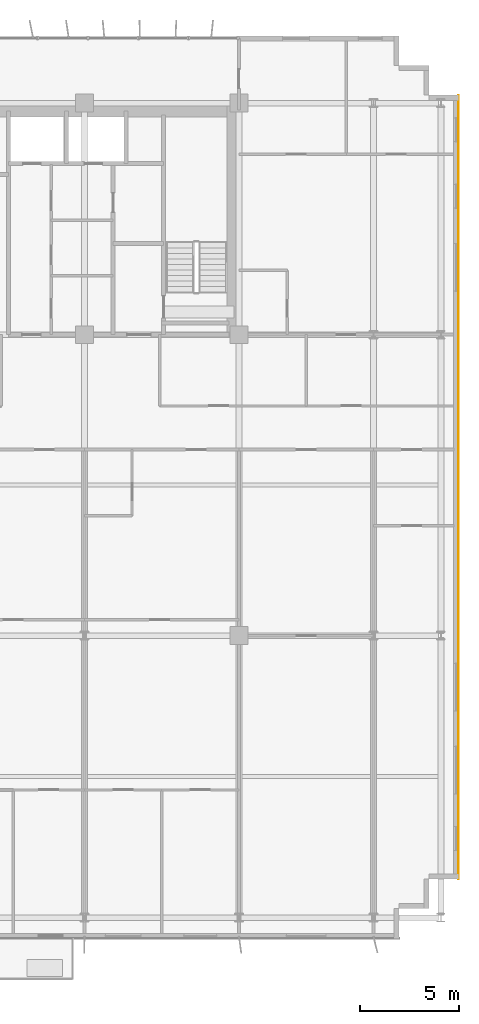
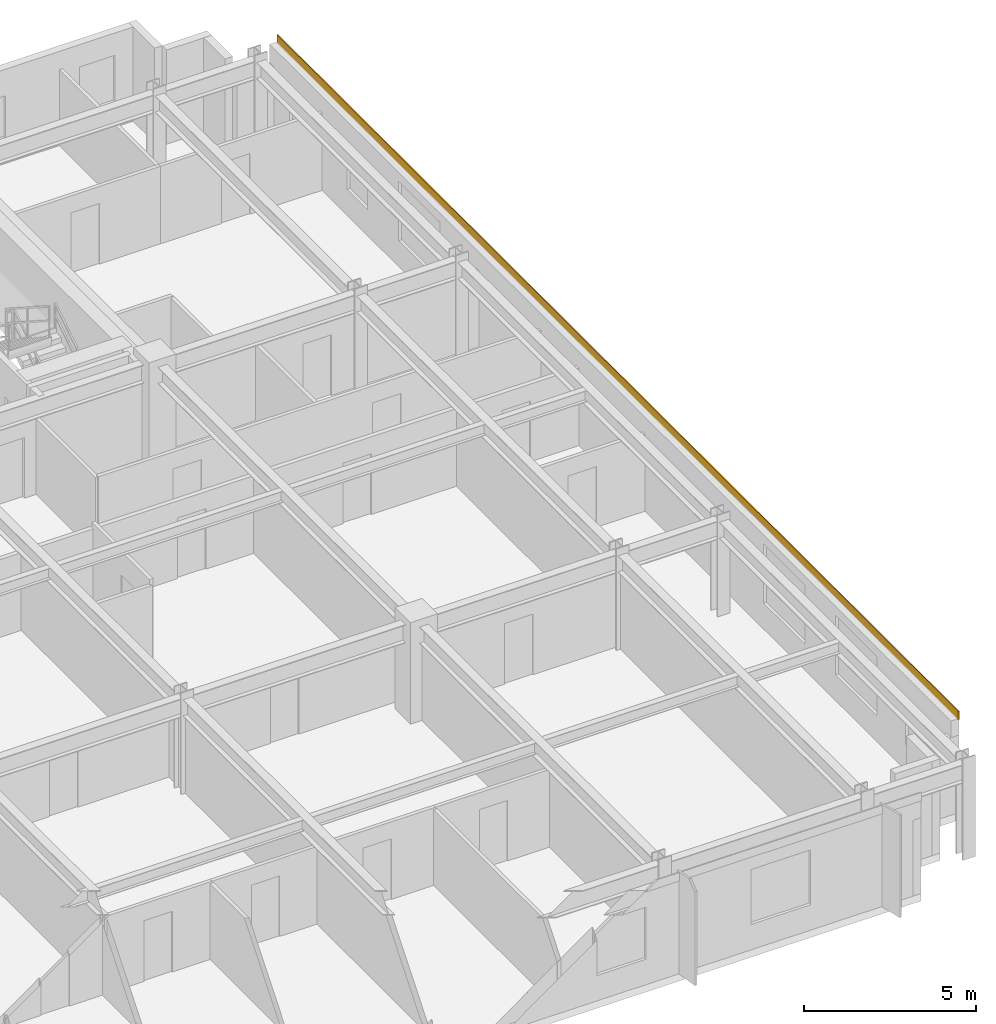
# One storey, part 24 of 24: 1 covering.
"""IFC4 building model written with IfcOpenShell, lengths in metres."""

from ifc_helpers import new_model, si_unit, direction, frame, origin, origin_2d, place, context, subcontext, project, spatial, rectangle, extrude, source, transform, mapped, material, layer, layer_set, type_object, element, save


model = new_model("IFC4")

# Units and contexts
model_context = context("Model", 3, precision=1e-05, world=origin(), true_north=direction((0.0, 1.0)))
body_context = subcontext(model_context, "Body", "Model", "MODEL_VIEW")
ifc_project = project(units=[si_unit("LENGTHUNIT", "METRE"), si_unit("AREAUNIT", "SQUARE_METRE"), si_unit("VOLUMEUNIT", "CUBIC_METRE"), si_unit("PLANEANGLEUNIT", "RADIAN"), si_unit("MASSUNIT", "GRAM", prefix="KILO")], contexts=[model_context])

# Site, building, storey
site_placement = place(None, origin())
site = spatial("IfcSite", under=ifc_project, at=site_placement, CompositionType="ELEMENT")
building_placement = place(site_placement, origin())
building = spatial("IfcBuilding", under=site, at=building_placement, Name="Trelvane Seafront Commons", CompositionType="ELEMENT")
storey_placement = place(building_placement, frame((0.0, 0.0, 30.699951171875)))
storey = spatial("IfcBuildingStorey", under=building, at=storey_placement, Name="L07", CompositionType="ELEMENT", Elevation=30.699951171875)

# Covering
ifc_material = material(Name="Anodised pale-silver aluminium", Category="aluminium")
ifc_layer = layer(ifc_material, 0.034912109375, Name="ARCH-COV-CLAD35")
ifc_layer_set = layer_set([ifc_layer], Name="Anodised pale-silver aluminium")
covering_type = type_object("IfcCoveringType", Name="ARCH-COV-CLAD35", PredefinedType="CLADDING", material=ifc_layer_set)
shared_shape = source(origin(), body_context, "Body", "SweptSolid", [
    extrude(rectangle(XDim=39.60009765625, YDim=0.034912109375, at=origin_2d()), origin(), (0.0, 0.0, 1.0), 0.300048828125),
])
covering_placement = place(storey_placement, frame((69.89990234375, 25.699951171875, 3.2998046875), z_axis=(0.0, 0.0, 1.0), x_axis=(0.0, -1.0, 0.0)))
element("IfcCovering", 1, at=covering_placement, inside=storey, type_object=covering_type, Name="CLD-L07-00046", PredefinedType="CLADDING", context=body_context, shape_type="MappedRepresentation", body=[
    mapped(shared_shape, transform((0.0, 0.0, 0.0), x_axis=(1.0, 0.0, 0.0), y_axis=(0.0, 1.0, 0.0), z_axis=(0.0, 0.0, 1.0), scale=1.0)),
])

save(model, "model.ifc")
